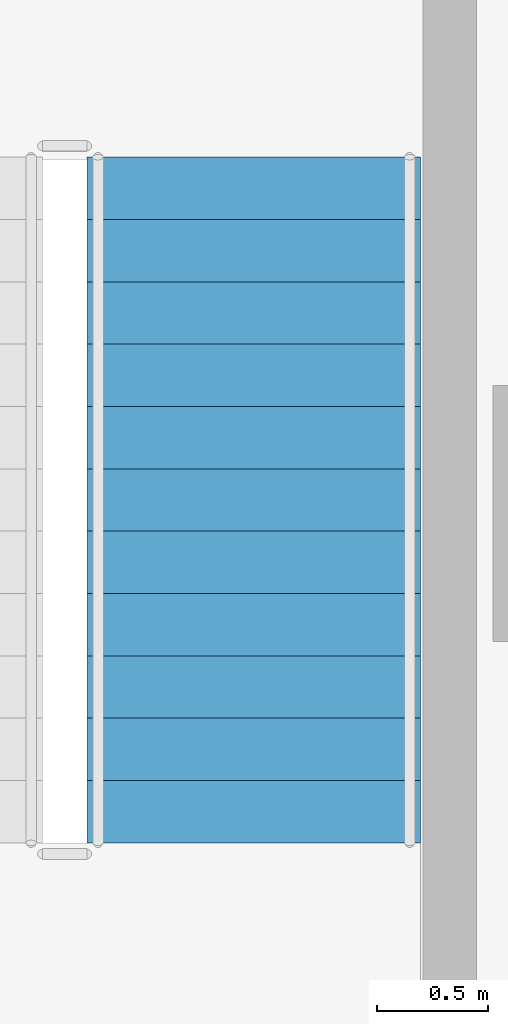
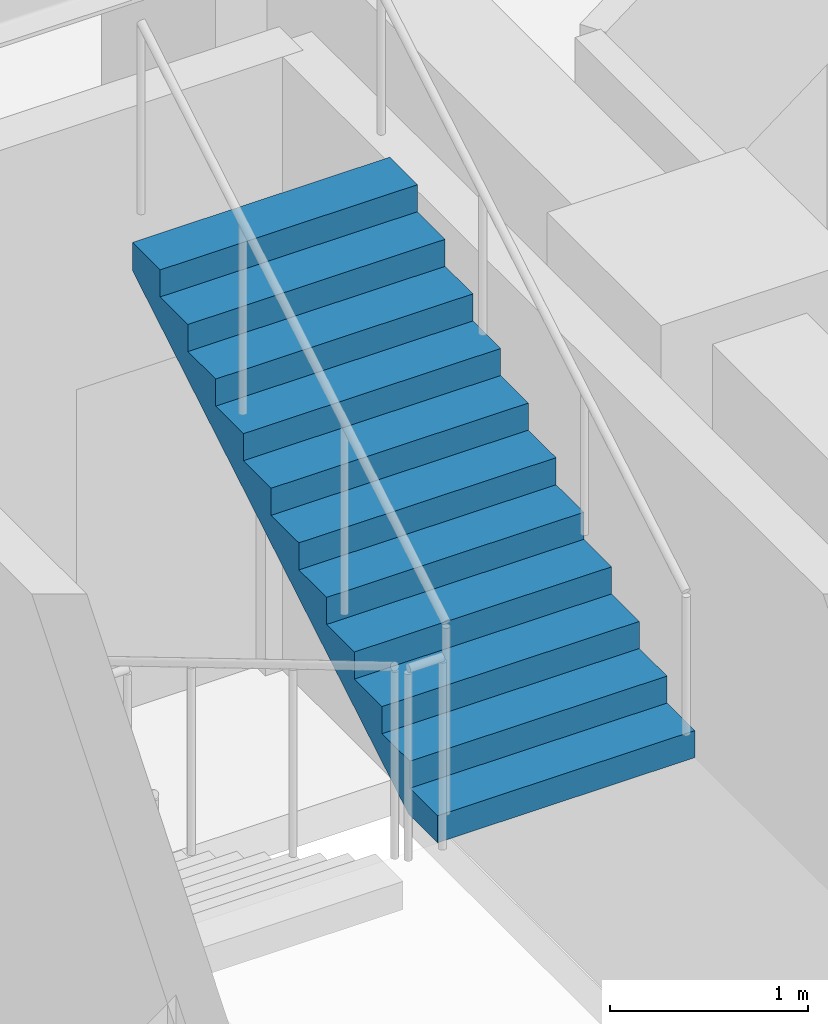
# One storey, part 9 of 14: 1 stair flight, 1 element without a shape of its own.
"""IFC4 building model written with IfcOpenShell, lengths in metres."""

from ifc_helpers import new_model, si_unit, direction, frame, origin, place, context, subcontext, project, spatial, polyline, outline, extrude, material, type_object, element, aggregate, save


model = new_model("IFC4")

# Units and contexts
model_context = context("Model", 3, precision=1e-05, world=origin(), true_north=direction((0.0, 1.0)))
body_context = subcontext(model_context, "Body", "Model", "MODEL_VIEW")
ifc_project = project(units=[si_unit("LENGTHUNIT", "METRE"), si_unit("AREAUNIT", "SQUARE_METRE"), si_unit("VOLUMEUNIT", "CUBIC_METRE"), si_unit("PLANEANGLEUNIT", "RADIAN"), si_unit("MASSUNIT", "GRAM", prefix="KILO")], contexts=[model_context])

# Site, building, storey
site_placement = place(None, origin())
site = spatial("IfcSite", under=ifc_project, at=site_placement, CompositionType="ELEMENT")
building_placement = place(site_placement, origin())
building = spatial("IfcBuilding", under=site, at=building_placement, Name="Gaonmaruhae Medical Tower", CompositionType="ELEMENT")
storey_placement = place(building_placement, frame((0.0, 0.0, 157.800048828125)))
storey = spatial("IfcBuildingStorey", under=building, at=storey_placement, Name="L37", CompositionType="ELEMENT", Elevation=157.800048828125)

# Stair, stair flight
ifc_material = material(Name="Concrete C40/50", Category="concrete")
stair_type = type_object("IfcStairType", Name="ST-T1 Primary Core Escape Dogleg Stair", PredefinedType="TWO_QUARTER_TURN_STAIR", material=ifc_material)
stair_placement = place(storey_placement, origin())
stair = element("IfcStair", 1, at=stair_placement, inside=storey, type_object=stair_type, Name="L37 Protected Escape Stair ST-02", PredefinedType="TWO_QUARTER_TURN_STAIR")
stair_flight_type = type_object("IfcStairFlightType", Name="SF-T1 Primary Core Precast Stair Flight", PredefinedType="STRAIGHT", material=ifc_material)
stair_flight_placement = place(storey_placement, frame((33.949951171875, 10.820068359375, 2.0), z_axis=(0.0, 0.0, 1.0), x_axis=(0.0, 1.0, 0.0)))
stair_flight = element("IfcStairFlight", 2, at=stair_flight_placement, type_object=stair_flight_type, Name="ST-02 flight 2", NumberOfRisers=12, NumberOfTreads=11, PredefinedType="STRAIGHT", RiserHeight=0.166666667, TreadLength=0.28, context=body_context, shape_type="SweptSolid", body=[
    extrude(outline(polyline([(0.0, 0.0), (0.0, 0.166748046875), (0.280029296875, 0.166748046875), (0.280029296875, 0.333251953125), (0.56005859375, 0.333251953125), (0.56005859375, 0.5), (0.840087890625, 0.5), (0.840087890625, 0.666748046875), (1.1201171875, 0.666748046875), (1.1201171875, 0.833251953125), (1.39990234375, 0.833251953125), (1.39990234375, 1.0), (1.679931640625, 1.0), (1.679931640625, 1.166748046875), (1.9599609375, 1.166748046875), (1.9599609375, 1.333251953125), (2.239990234375, 1.333251953125), (2.239990234375, 1.5), (2.52001953125, 1.5), (2.52001953125, 1.666748046875), (2.800048828125, 1.666748046875), (2.800048828125, 1.833251953125), (3.080078125, 1.833251953125), (3.080078125, 2.0), (3.080078125, 1.658935546875), (0.29296875, 0.0), (0.0, 0.0)])), frame((0.0, 0.75, 0.0), z_axis=(0.0, -1.0, 0.0), x_axis=(1.0, 0.0, 0.0)), (0.0, 0.0, 1.0), 1.5),
])
aggregate(stair, [stair_flight])

save(model, "model.ifc")
